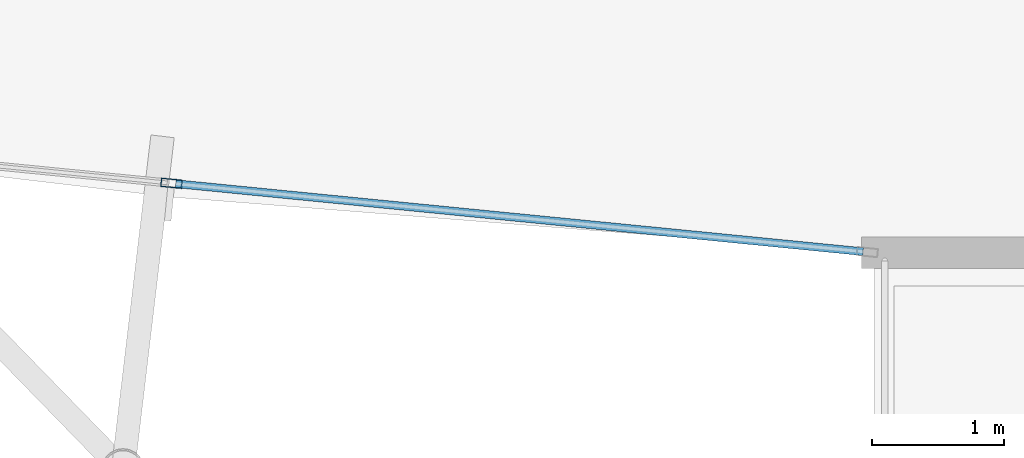
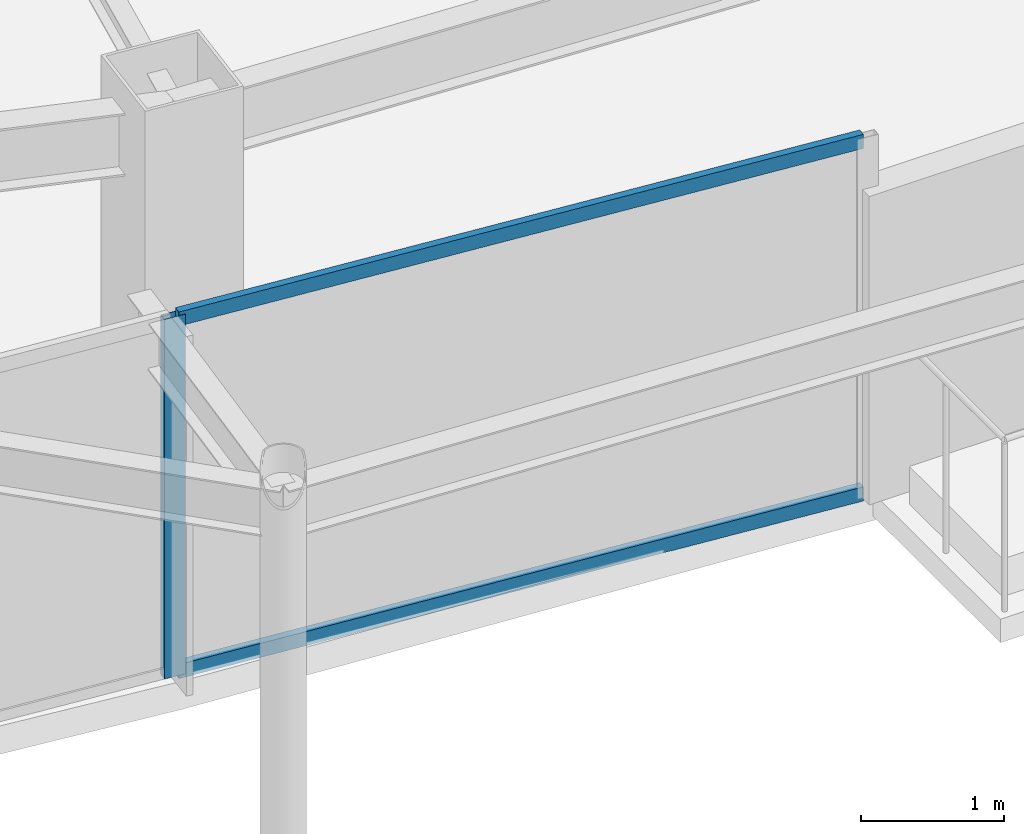
# One storey, part 4 of 33: 3 members, 1 element without a shape of its own.
"""IFC4 building model written with IfcOpenShell, lengths in metres."""

import ifcopenshell
import ifcopenshell.guid

model = None  # the IFC model being written
_history = None  # IfcOwnerHistory: only IFC2X3 demands one
_inside = {}  # id of a spatial element -> (the spatial element, [elements in it])
_under = {}  # id of a project, library or spatial element -> (it, [spatial elements below it])
_declared = {}  # id of a project -> (the project, [libraries it declares])
_typed = {}  # id of a type object -> (the type object, [elements of that type])
_made_of = {}  # id of a material, layer set ... -> (it, [elements and type objects made of it])


def new_model(schema):
    """Start an empty IFC model of exactly this schema.

    Asked for "IFC4X3", IfcOpenShell would pick the latest addendum, in which some entities
    have other attributes; the version numbers below select the first issue.
    IFC2X3 requires an IfcOwnerHistory on every rooted entity: one is made here for all.
    """
    global model, _history
    if schema == "IFC4X3":
        model = ifcopenshell.file(schema_version=(4, 3, 0, 0))
    else:
        model = ifcopenshell.file(schema=schema)
    _inside.clear()
    _under.clear()
    _declared.clear()
    _typed.clear()
    _made_of.clear()
    _history = None
    if model.schema == "IFC2X3":
        org = make("IfcOrganization", Name="unknown")
        user = make(
            "IfcPersonAndOrganization",
            ThePerson=make("IfcPerson", FamilyName="unknown"),
            TheOrganization=org,
        )
        app = make(
            "IfcApplication",
            ApplicationDeveloper=org,
            Version="unknown",
            ApplicationFullName="unknown",
            ApplicationIdentifier="unknown",
        )
        _history = make(
            "IfcOwnerHistory",
            OwningUser=user,
            OwningApplication=app,
            ChangeAction="ADDED",
            CreationDate=0,
        )
    return model


def make(cls, **values):
    """One entity of the class cls with the attributes given. An attribute that is None is left unset."""
    return model.create_entity(
        cls, **{name: value for name, value in values.items() if value is not None}
    )


def rooted(cls, **values):
    """An entity with a GlobalId (a new one), such as an element, a storey or a relation."""
    return make(cls, GlobalId=ifcopenshell.guid.new(), OwnerHistory=_history, **values)


def si_unit(unit_type, name, prefix=None):
    """IfcSIUnit, for example si_unit("LENGTHUNIT", "METRE", prefix="MILLI")."""
    return make("IfcSIUnit", UnitType=unit_type, Prefix=prefix, Name=name)


def assignment(units):
    """IfcUnitAssignment: the units of a project."""
    return None if units is None else make("IfcUnitAssignment", Units=units)


def point(xyz):
    """IfcCartesianPoint."""
    return None if xyz is None else make("IfcCartesianPoint", Coordinates=xyz)


def direction(xyz):
    """IfcDirection."""
    return None if xyz is None else make("IfcDirection", DirectionRatios=xyz)


def frame(location, z_axis=None, x_axis=None):
    """IfcAxis2Placement3D, a coordinate frame: its origin and axes. An axis left out is left unset."""
    return make(
        "IfcAxis2Placement3D",
        Location=point(location),
        Axis=direction(z_axis),
        RefDirection=direction(x_axis),
    )


def frame_2d(location, x_axis=None):
    """IfcAxis2Placement2D, a coordinate frame in the plane: its origin and x axis."""
    return make(
        "IfcAxis2Placement2D", Location=point(location), RefDirection=direction(x_axis)
    )


def origin():
    """The frame at (0, 0, 0) with its axes left unset."""
    return frame((0.0, 0.0, 0.0))


def origin_2d():
    """The frame at (0, 0) in the plane with its x axis left unset."""
    return frame_2d((0.0, 0.0))


def place(relative_to, where):
    """IfcLocalPlacement: puts the frame where relative to a parent placement (None: the world)."""
    return make(
        "IfcLocalPlacement", PlacementRelTo=relative_to, RelativePlacement=where
    )


def context(
    kind, dimensions, precision=None, world=None, true_north=None, identifier=None
):
    """IfcGeometricRepresentationContext, for example the 3D "Model" context."""
    return make(
        "IfcGeometricRepresentationContext",
        ContextIdentifier=identifier,
        ContextType=kind,
        CoordinateSpaceDimension=dimensions,
        Precision=precision,
        WorldCoordinateSystem=world,
        TrueNorth=true_north,
    )


def subcontext(parent, identifier, kind, view, scale=None):
    """IfcGeometricRepresentationSubContext, for example "Body" below "Model"."""
    return make(
        "IfcGeometricRepresentationSubContext",
        ContextIdentifier=identifier,
        ContextType=kind,
        ParentContext=parent,
        TargetScale=scale,
        TargetView=view,
    )


def project(units=None, contexts=None):
    """IfcProject with its units and contexts."""
    return rooted(
        "IfcProject",
        Name="project",
        RepresentationContexts=contexts,
        UnitsInContext=assignment(units),
    )


def spatial(cls, under=None, at=None, **own):
    """A site, building, storey or space (cls), placed at a placement, below another one or the project."""
    s = rooted(cls, ObjectPlacement=at, **own)
    if under is not None:
        _under.setdefault(under.id(), (under, []))[1].append(s)
    return s


def profile(cls, at=None, kind="AREA", **sizes):
    """A parametric profile (cls). Its sizes go by their IFC names, for example OverallWidth=200.0."""
    return make(cls, ProfileType=kind, Position=at, **sizes)


def hollow_rectangle(**sizes):
    """IfcRectangleHollowProfileDef."""
    return profile("IfcRectangleHollowProfileDef", **sizes)


def extrude(swept, where, along, depth):
    """IfcExtrudedAreaSolid: the profile swept, set in the frame where, extruded along a direction by depth."""
    return make(
        "IfcExtrudedAreaSolid",
        SweptArea=swept,
        Position=where,
        ExtrudedDirection=direction(along),
        Depth=depth,
    )


def shape(context_of_items, identifier, shape_type, items):
    """IfcShapeRepresentation: the items that make up one representation, for example the "Body"."""
    return make(
        "IfcShapeRepresentation",
        ContextOfItems=context_of_items,
        RepresentationIdentifier=identifier,
        RepresentationType=shape_type,
        Items=items,
    )


def material(Name=None, Category=None):
    """IfcMaterial."""
    return make("IfcMaterial", Name=Name, Category=Category)


def layer(
    of_material, thickness, ventilated=None, Name=None, Category=None, Priority=None
):
    """IfcMaterialLayer: one layer of a wall or slab, of a material (None: an air gap)."""
    return make(
        "IfcMaterialLayer",
        Material=of_material,
        LayerThickness=thickness,
        IsVentilated=ventilated,
        Name=Name,
        Category=Category,
        Priority=Priority,
    )


def layer_set(layers, Name=None):
    """IfcMaterialLayerSet."""
    return make("IfcMaterialLayerSet", MaterialLayers=layers, LayerSetName=Name)


def material_profile(
    of_material, cross_section, Name=None, Category=None, Priority=None
):
    """IfcMaterialProfile: a cross section and its material."""
    return make(
        "IfcMaterialProfile",
        Name=Name,
        Material=of_material,
        Profile=cross_section,
        Priority=Priority,
        Category=Category,
    )


def profile_set(profiles, Name=None, composite=None):
    """IfcMaterialProfileSet."""
    return make(
        "IfcMaterialProfileSet",
        Name=Name,
        MaterialProfiles=profiles,
        CompositeProfile=composite,
    )


def made_of(thing, what):
    """Note that an element or type object is made of a material, layer set ...; save() writes the relation."""
    if what is not None:
        _made_of.setdefault(what.id(), (what, []))[1].append(thing)
    return thing


def type_object(cls, material=None, **own):
    """A type object (cls), such as IfcWallType, which elements share."""
    return made_of(rooted(cls, **own), material)


def element(
    cls,
    number,
    at=None,
    inside=None,
    cuts=None,
    type_object=None,
    material=None,
    context=None,
    identifier="Body",
    shape_type=None,
    held_by="IfcProductDefinitionShape",
    body=None,
    shapes=None,
    **own,
):
    """One element of the class cls, such as IfcWall. Its Tag is "e" and its number.

    at: its placement. inside: the storey or other place that contains it. cuts: it is an
    opening in that element (IfcRelVoidsElement). A single representation is given by context,
    identifier, shape_type and body (its items); several are given by shapes. held_by: the class
    of the entity that holds the representations. save() writes the other relations.
    """
    e = rooted(cls, Tag="e%d" % number, ObjectPlacement=at, **own)
    if body is not None:
        shapes = [shape(context, identifier, shape_type, body)]
    if shapes is not None:
        e.Representation = make(held_by, Representations=shapes)
    if inside is not None:
        _inside.setdefault(inside.id(), (inside, []))[1].append(e)
    if cuts is not None:
        rooted(
            "IfcRelVoidsElement", RelatingBuildingElement=cuts, RelatedOpeningElement=e
        )
    if type_object is not None:
        _typed.setdefault(type_object.id(), (type_object, []))[1].append(e)
    return made_of(e, material)


def aggregate(whole, parts):
    """IfcRelAggregates: a whole, such as a stair, and the parts it consists of."""
    return rooted("IfcRelAggregates", RelatingObject=whole, RelatedObjects=parts)


def save(model, path):
    """Write the relations noted so far, then the file.

    IfcRelAggregates (storeys below a building ...), IfcRelContainedInSpatialStructure (elements
    in a storey), IfcRelDefinesByType, IfcRelAssociatesMaterial and IfcRelDeclares: one each for
    every whole, place, type object, material and project.
    """
    for whole, parts in _under.values():
        aggregate(whole, parts)
    for where, things in _inside.values():
        rooted(
            "IfcRelContainedInSpatialStructure",
            RelatedElements=things,
            RelatingStructure=where,
        )
    for kind, things in _typed.values():
        rooted("IfcRelDefinesByType", RelatedObjects=things, RelatingType=kind)
    for what, things in _made_of.values():
        rooted("IfcRelAssociatesMaterial", RelatedObjects=things, RelatingMaterial=what)
    for by, libraries in _declared.values():
        rooted("IfcRelDeclares", RelatingContext=by, RelatedDefinitions=libraries)
    model.write(path)


model = new_model("IFC4")

# Units and contexts
model_context = context("Model", 3, precision=1e-05, world=origin(), true_north=direction((0.0, 1.0)))
body_context = subcontext(model_context, "Body", "Model", "MODEL_VIEW")
ifc_project = project(units=[si_unit("LENGTHUNIT", "METRE"), si_unit("AREAUNIT", "SQUARE_METRE"), si_unit("VOLUMEUNIT", "CUBIC_METRE"), si_unit("PLANEANGLEUNIT", "RADIAN"), si_unit("MASSUNIT", "GRAM", prefix="KILO")], contexts=[model_context])

# Site, building, storey
site_placement = place(None, origin())
site = spatial("IfcSite", under=ifc_project, at=site_placement, CompositionType="ELEMENT")
building_placement = place(site_placement, origin())
building = spatial("IfcBuilding", under=site, at=building_placement, Name="Orvanel Arch Residences", CompositionType="ELEMENT")
storey_placement = place(building_placement, frame((0.0, 0.0, 196.39990234375)))
storey = spatial("IfcBuildingStorey", under=building, at=storey_placement, Name="L55", CompositionType="ELEMENT", Elevation=196.39990234375)

# Curtain wall, members
ifc_material = material(Name="Bronze-anodised aluminium AA6063-T6", Category="aluminium")
ifc_layer = layer(ifc_material, 0.175048828125)
ifc_layer_set = layer_set([ifc_layer], Name="Bronze-anodised aluminium AA6063-T6")
curtain_wall_type = type_object("IfcCurtainWallType", Name="CW4-HI-SYS", PredefinedType="NOTDEFINED", material=ifc_layer_set)
curtain_wall_placement = place(storey_placement, origin())
curtain_wall = element("IfcCurtainWall", 1, at=curtain_wall_placement, inside=storey, type_object=curtain_wall_type, Name="L55 CW4-HI-SYS Unitised Curtain Wall", PredefinedType="NOTDEFINED")
ifc_material_profile_1 = material_profile(ifc_material, hollow_rectangle(XDim=0.06494140625, YDim=0.159912109375, WallThickness=0.00390625, at=origin_2d()), Name="ALU160x65x4")
ifc_profile_set_1 = profile_set([ifc_material_profile_1], Name="Bronze-anodised aluminium AA6063-T6")
member_type_1 = type_object("IfcMemberType", Name="MUL-160x65", PredefinedType="MULLION", material=ifc_profile_set_1)
member_1_placement = place(storey_placement, frame((22.342529296875, 5.08203125, 0.0), z_axis=(0.0, 0.0, 1.0), x_axis=(0.098417861591, 0.99514517761, 0.0)))
member_1 = element("IfcMember", 2, at=member_1_placement, type_object=member_type_1, Name="CW-S4 mullion 2", PredefinedType="MULLION", context=body_context, shape_type="SweptSolid", body=[
    extrude(hollow_rectangle(XDim=0.06494140625, YDim=0.159912109375, WallThickness=0.00390625, at=origin_2d()), origin(), (0.0, 0.0, 1.0), 3.06005859375),
])
ifc_material_profile_2 = material_profile(ifc_material, hollow_rectangle(XDim=0.06005859375, YDim=0.1201171875, WallThickness=0.00341796875, at=origin_2d()), Name="ALU120x60x3.5")
ifc_profile_set_2 = profile_set([ifc_material_profile_2], Name="Bronze-anodised aluminium AA6063-T6")
member_type_2 = type_object("IfcMemberType", Name="TRN-120x60", PredefinedType="USERDEFINED", material=ifc_profile_set_2)
member_2_placement = place(storey_placement, frame((22.374755859375, 5.078857421875, 0.030029296875), z_axis=(0.995145978741, -0.098409760675, 0.0), x_axis=(0.098409760675, 0.995145978741, 0.0)))
member_2 = element("IfcMember", 3, at=member_2_placement, type_object=member_type_2, Name="CW-S4 transom 2.1", ObjectType="TRANSOM", PredefinedType="USERDEFINED", context=body_context, shape_type="SweptSolid", body=[
    extrude(hollow_rectangle(XDim=0.06005859375, YDim=0.1201171875, WallThickness=0.00341796875, at=origin_2d()), origin(), (0.0, 0.0, 1.0), 5.237060546875),
])
member_3_placement = place(storey_placement, frame((22.374755859375, 5.078857421875, 3.030029296875), z_axis=(0.995145978741, -0.098409760675, 0.0), x_axis=(0.098409760675, 0.995145978741, 0.0)))
member_3 = element("IfcMember", 4, at=member_3_placement, type_object=member_type_2, Name="CW-S4 transom 2.2", ObjectType="TRANSOM", PredefinedType="USERDEFINED", context=body_context, shape_type="SweptSolid", body=[
    extrude(hollow_rectangle(XDim=0.06005859375, YDim=0.1201171875, WallThickness=0.00341796875, at=origin_2d()), origin(), (0.0, 0.0, 1.0), 5.237060546875),
])
aggregate(curtain_wall, [member_1, member_2, member_3])

save(model, "model.ifc")
